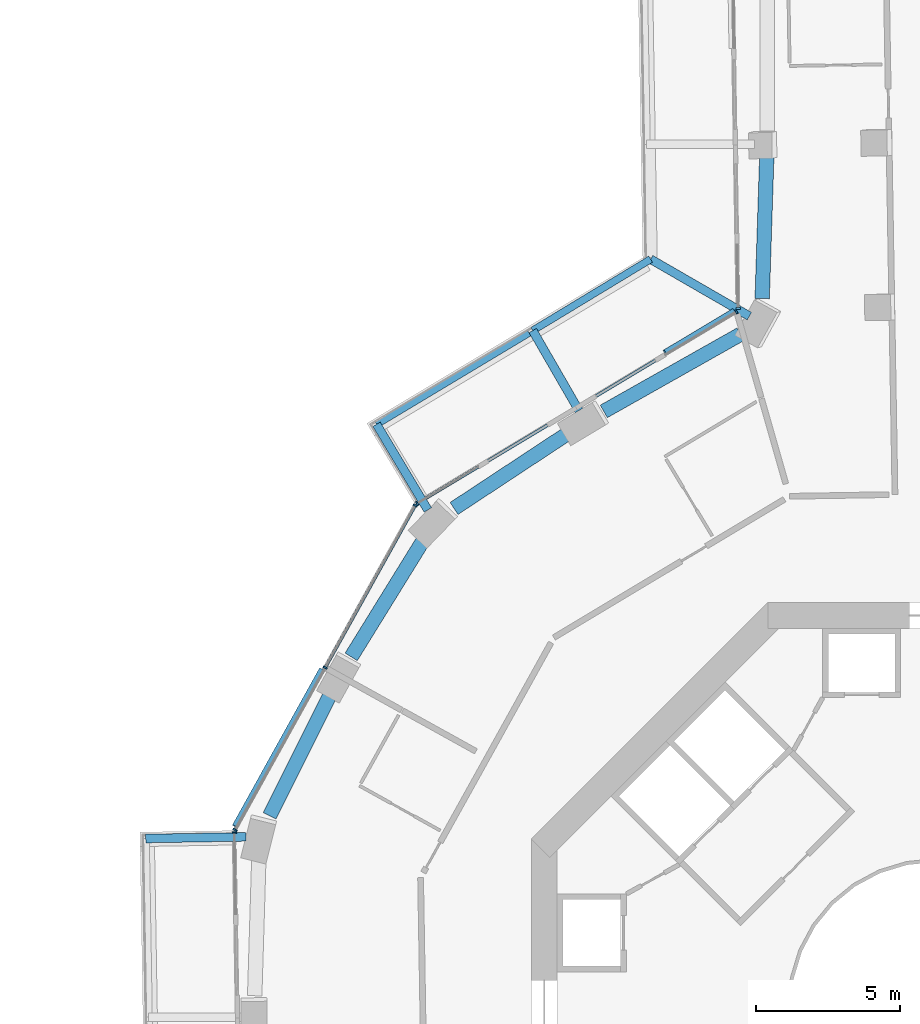
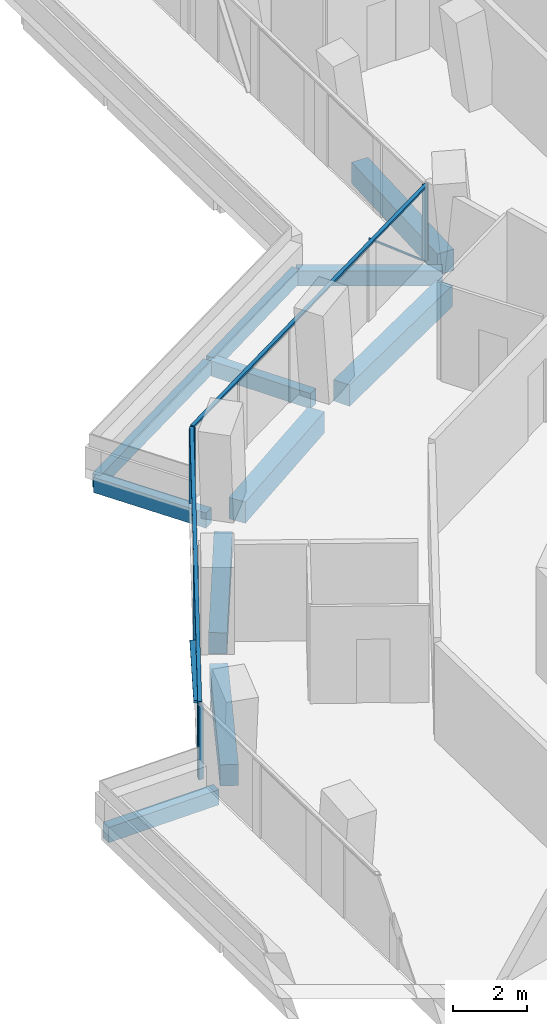
# One storey, part 7 of 25: 11 beams, 11 members, 4 elements without a shape of their own.
"""IFC4 building model written with IfcOpenShell, lengths in metres."""

from ifc_helpers import new_model, si_unit, direction, frame, origin, origin_2d, place, context, subcontext, project, spatial, rectangle, extrude, material, layer, layer_set, material_profile, profile_set, type_object, element, aggregate, save


model = new_model("IFC4")

# Units and contexts
model_context = context("Model", 3, precision=1e-05, world=origin(), true_north=direction((0.0, 1.0)))
body_context = subcontext(model_context, "Body", "Model", "MODEL_VIEW")
ifc_project = project(units=[si_unit("LENGTHUNIT", "METRE"), si_unit("AREAUNIT", "SQUARE_METRE"), si_unit("VOLUMEUNIT", "CUBIC_METRE"), si_unit("PLANEANGLEUNIT", "RADIAN"), si_unit("MASSUNIT", "GRAM", prefix="KILO")], contexts=[model_context])

# Site, building, storey
site_placement = place(None, origin())
site = spatial("IfcSite", under=ifc_project, at=site_placement, CompositionType="ELEMENT")
building_placement = place(site_placement, origin())
building = spatial("IfcBuilding", under=site, at=building_placement, Name="Verdalira Terraces Hotel", CompositionType="ELEMENT")
storey_placement = place(building_placement, frame((0.0, 0.0, 39.0)))
storey = spatial("IfcBuildingStorey", under=building, at=storey_placement, Name="L07", CompositionType="ELEMENT", Elevation=39.0)

# Beams
ifc_material_1 = material(Name="Concrete C40", Category="concrete")
ifc_material_profile_1 = material_profile(ifc_material_1, rectangle(XDim=0.300049, YDim=0.5, at=origin_2d()), Name="RC 300X500")
ifc_profile_set_1 = profile_set([ifc_material_profile_1], Name="Concrete C40")
beam_type_1 = type_object("IfcBeamType", Name="Balcony cantilever beam RC 300X500 C40", PredefinedType="BEAM", material=ifc_profile_set_1)
beam_1_placement = place(storey_placement, frame((-6.442871, 23.91748, -0.560059), z_axis=(-0.866005454, 0.500034553, 0.0), x_axis=(-0.500034553, -0.866005454, 0.0)))
element("IfcBeam", 1, at=beam_1_placement, inside=storey, type_object=beam_type_1, Name="Balcony cantilever beam R10-1", PredefinedType="BEAM", context=body_context, shape_type="SweptSolid", body=[
    extrude(rectangle(XDim=0.300049, YDim=0.5, at=origin_2d()), origin(), (0.0, 0.0, 1.0), 3.949951),
])
beam_2_placement = place(storey_placement, frame((-12.348877, 20.646973, -0.560059), z_axis=(-0.499986559, 0.866033164, 0.0), x_axis=(-0.866033164, -0.499986559, 0.0)))
element("IfcBeam", 2, at=beam_2_placement, inside=storey, type_object=beam_type_1, Name="Balcony cantilever beam R10-2", PredefinedType="BEAM", context=body_context, shape_type="SweptSolid", body=[
    extrude(rectangle(XDim=0.300049, YDim=0.5, at=origin_2d()), origin(), (0.0, 0.0, 1.0), 3.200684),
])
beam_3_placement = place(storey_placement, frame((-17.582275, 17.20459, -0.560059), z_axis=(-0.514454249, 0.857517828, 0.0), x_axis=(-0.857517828, -0.514454249, 0.0)))
element("IfcBeam", 3, at=beam_3_placement, inside=storey, type_object=beam_type_1, Name="Balcony cantilever beam R10-3", PredefinedType="BEAM", context=body_context, shape_type="SweptSolid", body=[
    extrude(rectangle(XDim=0.300049, YDim=0.5, at=origin_2d()), origin(), (0.0, 0.0, 1.0), 3.459961),
])
beam_4_placement = place(storey_placement, frame((-23.891602, 5.875488, -0.560059), z_axis=(-0.99985967, -0.016752313, 0.0), x_axis=(0.016752313, -0.99985967, 0.0)))
element("IfcBeam", 4, at=beam_4_placement, inside=storey, type_object=beam_type_1, Name="Balcony cantilever beam R13-3", PredefinedType="BEAM", context=body_context, shape_type="SweptSolid", body=[
    extrude(rectangle(XDim=0.300049, YDim=0.5, at=origin_2d()), origin(), (0.0, 0.0, 1.0), 3.468506),
])
ifc_material_2 = material(Name="Concrete C40", Category="concrete")
ifc_material_profile_2 = material_profile(ifc_material_2, rectangle(XDim=0.25, YDim=0.449951, at=origin_2d()), Name="RC 250X450")
ifc_profile_set_2 = profile_set([ifc_material_profile_2], Name="Concrete C40")
beam_type_2 = type_object("IfcBeamType", Name="Balcony edge beam RC 250X450 C40", PredefinedType="BEAM", material=ifc_profile_set_2)
beam_5_placement = place(storey_placement, frame((-9.863525, 25.892578, -0.534912), z_axis=(-0.855433929, -0.517911955, 0.0), x_axis=(0.517911955, -0.855433929, 0.0)))
element("IfcBeam", 5, at=beam_5_placement, inside=storey, type_object=beam_type_2, Name="Balcony edge beam R10-1", PredefinedType="BEAM", context=body_context, shape_type="SweptSolid", body=[
    extrude(rectangle(XDim=0.25, YDim=0.449951, at=origin_2d()), origin(), (0.0, 0.0, 1.0), 4.776123),
])
beam_6_placement = place(storey_placement, frame((-14.077881, 23.341797, -0.534912), z_axis=(-0.857527881, -0.514437493, 0.0), x_axis=(0.514437493, -0.857527881, 0.0)))
element("IfcBeam", 6, at=beam_6_placement, inside=storey, type_object=beam_type_2, Name="Balcony edge beam R10-2", PredefinedType="BEAM", context=body_context, shape_type="SweptSolid", body=[
    extrude(rectangle(XDim=0.25, YDim=0.449951, at=origin_2d()), origin(), (0.0, 0.0, 1.0), 6.162354),
])

# Curtain wall, members
ifc_material_3 = material(Name="Clear glass", Category="glass")
ifc_layer_1 = layer(ifc_material_3, 0.14990234375)
ifc_layer_set_1 = layer_set([ifc_layer_1], Name="CW1 curtain wall")
curtain_wall_type_1 = type_object("IfcCurtainWallType", Name="CW1 curtain wall", PredefinedType="NOTDEFINED", material=ifc_layer_set_1)
curtain_wall_1_placement = place(storey_placement, origin())
curtain_wall_1 = element("IfcCurtainWall", 7, at=curtain_wall_1_placement, inside=storey, type_object=curtain_wall_type_1, Name="CW1 curtain wall L07 edge 11", PredefinedType="NOTDEFINED")
ifc_material_4 = material(Name="Terracotta frame", Category="masonry")
ifc_material_profile_3 = material_profile(ifc_material_4, rectangle(XDim=0.060059, YDim=0.149902, at=origin_2d()), Name="MU 60x150")
ifc_profile_set_3 = profile_set([ifc_material_profile_3], Name="Terracotta frame")
member_type_1 = type_object("IfcMemberType", Name="CW1 mullion 60x150", PredefinedType="MULLION", material=ifc_profile_set_3)
member_1_placement = place(storey_placement, frame((-6.892578, 24.066162, 0.0), z_axis=(0.0, 0.0, 1.0), x_axis=(-0.857526656, -0.514439534, 0.0)))
member_1 = element("IfcMember", 8, at=member_1_placement, type_object=member_type_1, Name="CW1 mullion", PredefinedType="MULLION", context=body_context, shape_type="SweptSolid", body=[
    extrude(rectangle(XDim=0.060059, YDim=0.149902, at=origin_2d()), origin(), (0.0, 0.0, 1.0), 2.425049),
])
member_2_placement = place(storey_placement, frame((-17.95459, 17.430176, 0.0), z_axis=(0.0, 0.0, 1.0), x_axis=(-0.857526656, -0.514439534, 0.0)))
member_2 = element("IfcMember", 9, at=member_2_placement, type_object=member_type_1, Name="CW1 mullion", PredefinedType="MULLION", context=body_context, shape_type="SweptSolid", body=[
    extrude(rectangle(XDim=0.060059, YDim=0.149902, at=origin_2d()), origin(), (0.0, 0.0, 1.0), 2.425049),
])

curtain_wall_2_placement = place(storey_placement, origin())
curtain_wall_2 = element("IfcCurtainWall", 10, at=curtain_wall_2_placement, inside=storey, type_object=curtain_wall_type_1, Name="CW1 curtain wall L07 edge 12", PredefinedType="NOTDEFINED")
member_3_placement = place(storey_placement, frame((-18.021973, 17.360596, 0.0), z_axis=(0.0, 0.0, 1.0), x_axis=(-0.485420102, -0.874281033, 0.0)))
member_3 = element("IfcMember", 11, at=member_3_placement, type_object=member_type_1, Name="CW1 mullion", PredefinedType="MULLION", context=body_context, shape_type="SweptSolid", body=[
    extrude(rectangle(XDim=0.060059, YDim=0.149902, at=origin_2d()), origin(), (0.0, 0.0, 1.0), 2.425049),
])
member_4_placement = place(storey_placement, frame((-21.143066, 11.739014, 0.0), z_axis=(0.0, 0.0, 1.0), x_axis=(-0.485420102, -0.874281033, 0.0)))
member_4 = element("IfcMember", 12, at=member_4_placement, type_object=member_type_1, Name="CW1 mullion", PredefinedType="MULLION", context=body_context, shape_type="SweptSolid", body=[
    extrude(rectangle(XDim=0.060059, YDim=0.149902, at=origin_2d()), origin(), (0.0, 0.0, 1.0), 2.425049),
])
member_5_placement = place(storey_placement, frame((-24.26416, 6.117676, 0.0), z_axis=(0.0, 0.0, 1.0), x_axis=(-0.485420102, -0.874281033, 0.0)))
member_5 = element("IfcMember", 13, at=member_5_placement, type_object=member_type_1, Name="CW1 mullion", PredefinedType="MULLION", context=body_context, shape_type="SweptSolid", body=[
    extrude(rectangle(XDim=0.060059, YDim=0.149902, at=origin_2d()), origin(), (0.0, 0.0, 1.0), 2.425049),
])

# Curtain wall, member
curtain_wall_3_placement = place(storey_placement, origin())
curtain_wall_3 = element("IfcCurtainWall", 14, at=curtain_wall_3_placement, inside=storey, type_object=curtain_wall_type_1, Name="CW1 curtain wall L07 edge 13", PredefinedType="NOTDEFINED")
member_6_placement = place(storey_placement, frame((-24.287598, 6.023682, 0.0), z_axis=(0.0, 0.0, 1.0), x_axis=(0.016754377, -0.999859636, 0.0)))
member_6 = element("IfcMember", 15, at=member_6_placement, type_object=member_type_1, Name="CW1 mullion", PredefinedType="MULLION", context=body_context, shape_type="SweptSolid", body=[
    extrude(rectangle(XDim=0.060059, YDim=0.149902, at=origin_2d()), origin(), (0.0, 0.0, 1.0), 2.425049),
])
aggregate(curtain_wall_3, [member_6])

# Member
ifc_material_5 = material(Name="Terracotta frame", Category="masonry")
ifc_material_profile_4 = material_profile(ifc_material_5, rectangle(XDim=0.110107, YDim=0.064941, at=origin_2d()), Name="TR 65x110")
ifc_profile_set_4 = profile_set([ifc_material_profile_4], Name="Terracotta frame")
member_type_2 = type_object("IfcMemberType", Name="CW1 transom 65x110", PredefinedType="USERDEFINED", material=ifc_profile_set_4)
member_7_placement = place(storey_placement, frame((-6.866943, 24.081787, 2.45752), z_axis=(-0.857517858, -0.5144542, 0.0), x_axis=(0.5144542, -0.857517858, 0.0)))
member_7 = element("IfcMember", 16, at=member_7_placement, type_object=member_type_2, Name="CW1 transom", ObjectType="TRANSOM", PredefinedType="USERDEFINED", context=body_context, shape_type="SweptSolid", body=[
    extrude(rectangle(XDim=0.110107, YDim=0.064941, at=origin_2d()), origin(), (0.0, 0.0, 1.0), 12.959717),
])

member_8_placement = place(storey_placement, frame((-18.007324, 17.386719, 2.45752), z_axis=(-0.485421502, -0.874280256, 0.0), x_axis=(0.874280256, -0.485421502, 0.0)))
member_8 = element("IfcMember", 17, at=member_8_placement, type_object=member_type_2, Name="CW1 transom", ObjectType="TRANSOM", PredefinedType="USERDEFINED", context=body_context, shape_type="SweptSolid", body=[
    extrude(rectangle(XDim=0.110107, YDim=0.064941, at=origin_2d()), origin(), (0.0, 0.0, 1.0), 12.919678),
])

# Curtain wall, member
ifc_material_6 = material(Name="Clear glass", Category="glass")
ifc_layer_2 = layer(ifc_material_6, 0.14990234375)
ifc_layer_set_2 = layer_set([ifc_layer_2], Name="CW2 curtain wall")
curtain_wall_type_2 = type_object("IfcCurtainWallType", Name="CW2 curtain wall", PredefinedType="NOTDEFINED", material=ifc_layer_set_2)
curtain_wall_4_placement = place(storey_placement, origin())
curtain_wall_4 = element("IfcCurtainWall", 18, at=curtain_wall_4_placement, inside=storey, type_object=curtain_wall_type_2, Name="CW2 curtain wall L07 edge 10", PredefinedType="NOTDEFINED")
ifc_material_7 = material(Name="Terracotta frame", Category="masonry")
ifc_material_profile_5 = material_profile(ifc_material_7, rectangle(XDim=0.070068, YDim=0.149902, at=origin_2d()), Name="MU 70x150")
ifc_profile_set_5 = profile_set([ifc_material_profile_5], Name="Terracotta frame")
member_type_3 = type_object("IfcMemberType", Name="CW2 mullion 70x150", PredefinedType="MULLION", material=ifc_profile_set_5)
member_9_placement = place(storey_placement, frame((-6.831055, 24.182373, 0.0), z_axis=(0.0, 0.0, 1.0), x_axis=(0.016754377, -0.999859636, 0.0)))
member_9 = element("IfcMember", 19, at=member_9_placement, type_object=member_type_3, Name="CW2 mullion", PredefinedType="MULLION", context=body_context, shape_type="SweptSolid", body=[
    extrude(rectangle(XDim=0.070068, YDim=0.149902, at=origin_2d()), origin(), (0.0, 0.0, 1.0), 2.425049),
])
aggregate(curtain_wall_4, [member_9])

# Member
ifc_material_8 = material(Name="Terracotta frame", Category="masonry")
ifc_material_profile_6 = material_profile(ifc_material_8, rectangle(XDim=0.149902, YDim=0.060059, at=origin_2d()), Name="GB 60x150")
ifc_profile_set_6 = profile_set([ifc_material_profile_6], Name="Terracotta frame")
member_type_4 = type_object("IfcMemberType", Name="Diagonal glazing bar 60x150", PredefinedType="USERDEFINED", material=ifc_profile_set_6)
member_10_placement = place(storey_placement, frame((-6.988281, 24.112549, 0.02417), z_axis=(-0.652150547, -0.391210285, 0.649349041), x_axis=(0.514418362, -0.857539357, 0.0)))
member_10 = element("IfcMember", 20, at=member_10_placement, type_object=member_type_4, Name="Diagonal glazing bar", ObjectType="GLAZING BAR", PredefinedType="USERDEFINED", context=body_context, shape_type="SweptSolid", body=[
    extrude(rectangle(XDim=0.149902, YDim=0.060059, at=origin_2d()), origin(), (0.0, 0.0, 1.0), 3.660156),
])

aggregate(curtain_wall_1, [member_1, member_2, member_7, member_10])

member_11_placement = place(storey_placement, frame((-21.271973, 11.689941, 0.028809), z_axis=(-0.453678722, -0.817061986, 0.355788319), x_axis=(0.874268365, -0.485442918, 0.0)))
member_11 = element("IfcMember", 21, at=member_11_placement, type_object=member_type_4, Name="Diagonal glazing bar", ObjectType="GLAZING BAR", PredefinedType="USERDEFINED", context=body_context, shape_type="SweptSolid", body=[
    extrude(rectangle(XDim=0.149902, YDim=0.060059, at=origin_2d()), origin(), (0.0, 0.0, 1.0), 6.654053),
])

aggregate(curtain_wall_2, [member_3, member_4, member_5, member_8, member_11])

# Beams
ifc_material_9 = material(Name="Concrete C70", Category="concrete")
ifc_material_profile_7 = material_profile(ifc_material_9, rectangle(XDim=0.5, YDim=0.699951, at=origin_2d()), Name="RC 500X700")
ifc_profile_set_7 = profile_set([ifc_material_profile_7], Name="Concrete C70")
beam_type_3 = type_object("IfcBeamType", Name="Spandrel beam RC 500X700 C70", PredefinedType="SPANDREL", material=ifc_profile_set_7)
beam_7_placement = place(storey_placement, frame((-5.840088, 29.420654, -0.659912), z_axis=(-0.03232166, -0.999477519, 0.0), x_axis=(0.999477519, -0.03232166, 0.0)))
element("IfcBeam", 22, at=beam_7_placement, inside=storey, type_object=beam_type_3, Name="Spandrel beam B07", PredefinedType="SPANDREL", context=body_context, shape_type="SweptSolid", body=[
    extrude(rectangle(XDim=0.5, YDim=0.699951, at=origin_2d()), origin(), (0.0, 0.0, 1.0), 4.894531),
])
beam_8_placement = place(storey_placement, frame((-6.749512, 23.290771, -0.659912), z_axis=(-0.870887834, -0.491481821, 0.0), x_axis=(0.491481821, -0.870887834, 0.0)))
element("IfcBeam", 23, at=beam_8_placement, inside=storey, type_object=beam_type_3, Name="Spandrel beam B08", PredefinedType="SPANDREL", context=body_context, shape_type="SweptSolid", body=[
    extrude(rectangle(XDim=0.5, YDim=0.699951, at=origin_2d()), origin(), (0.0, 0.0, 1.0), 5.439453),
])
beam_9_placement = place(storey_placement, frame((-12.705811, 19.871826, -0.659912), z_axis=(-0.83487509, -0.550439446, 0.0), x_axis=(0.550439446, -0.83487509, 0.0)))
element("IfcBeam", 24, at=beam_9_placement, inside=storey, type_object=beam_type_3, Name="Spandrel beam B09", PredefinedType="SPANDREL", context=body_context, shape_type="SweptSolid", body=[
    extrude(rectangle(XDim=0.5, YDim=0.699951, at=origin_2d()), origin(), (0.0, 0.0, 1.0), 4.755127),
])
beam_10_placement = place(storey_placement, frame((-17.736328, 16.159912, -0.659912), z_axis=(-0.525953678, -0.850513215, 0.0), x_axis=(0.850513215, -0.525953678, 0.0)))
element("IfcBeam", 25, at=beam_10_placement, inside=storey, type_object=beam_type_3, Name="Spandrel beam B10", PredefinedType="SPANDREL", context=body_context, shape_type="SweptSolid", body=[
    extrude(rectangle(XDim=0.5, YDim=0.699951, at=origin_2d()), origin(), (0.0, 0.0, 1.0), 4.759277),
])
beam_11_placement = place(storey_placement, frame((-20.939453, 10.856689, -0.659912), z_axis=(-0.447788512, -0.894139502, 0.0), x_axis=(0.894139502, -0.447788512, 0.0)))
element("IfcBeam", 26, at=beam_11_placement, inside=storey, type_object=beam_type_3, Name="Spandrel beam B11", PredefinedType="SPANDREL", context=body_context, shape_type="SweptSolid", body=[
    extrude(rectangle(XDim=0.5, YDim=0.699951, at=origin_2d()), origin(), (0.0, 0.0, 1.0), 4.755371),
])

save(model, "model.ifc")
